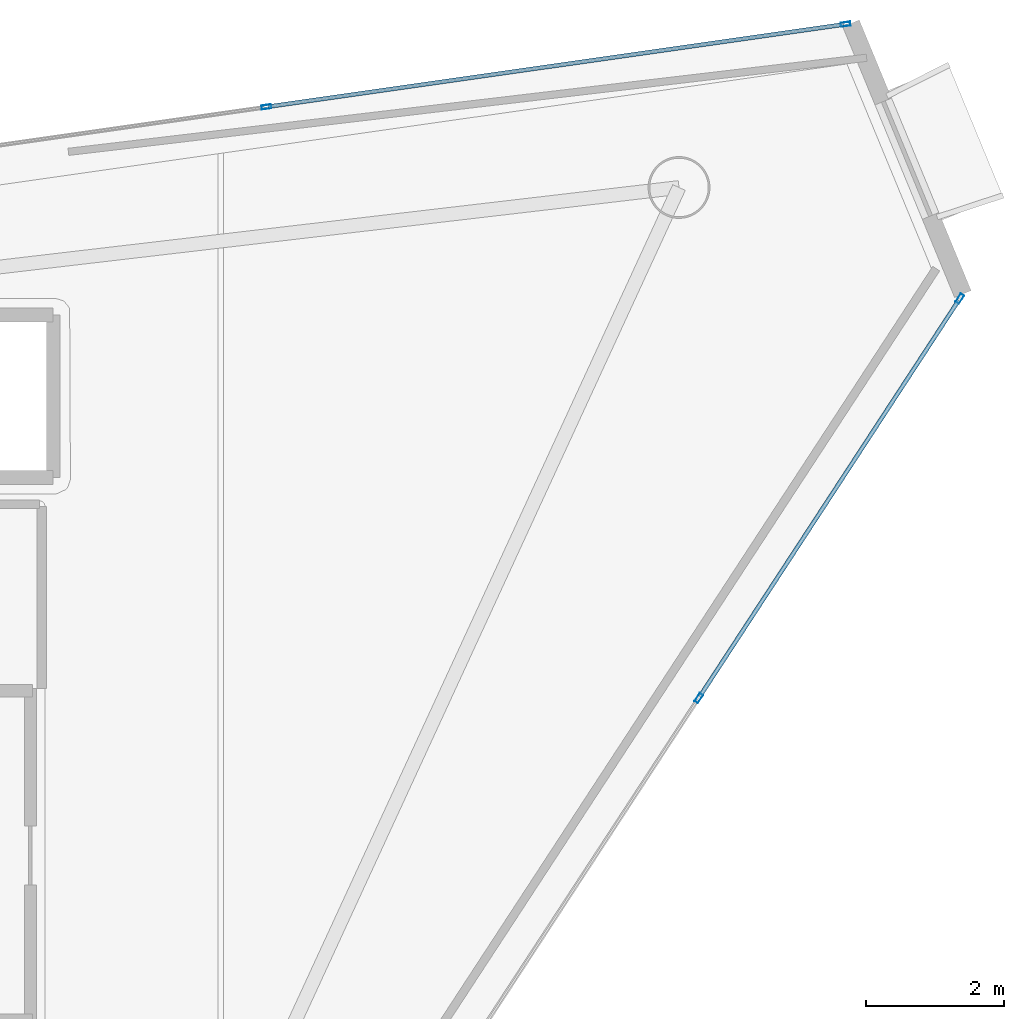
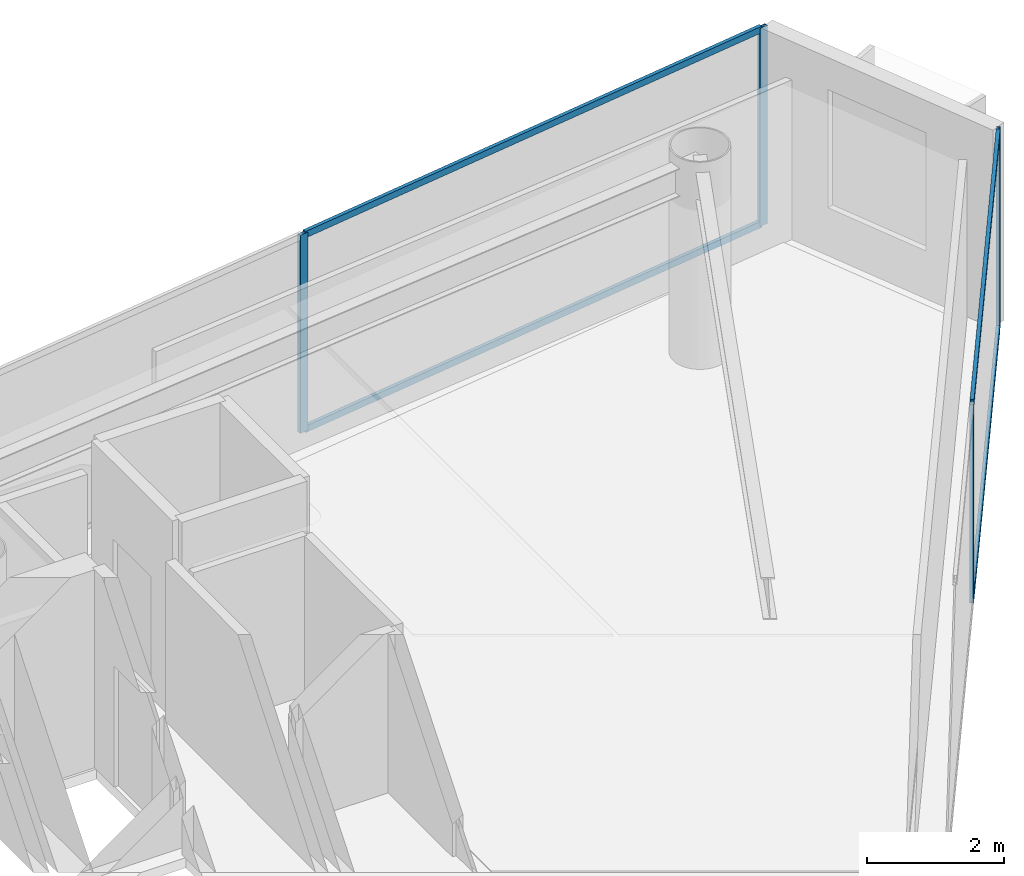
# One storey, part 18 of 25: 8 members, 2 elements without a shape of their own.
"""IFC4 building model written with IfcOpenShell, lengths in metres."""

from ifc_helpers import new_model, si_unit, direction, frame, origin, origin_2d, place, context, subcontext, project, spatial, hollow_rectangle, extrude, material, layer, layer_set, material_profile, profile_set, type_object, element, aggregate, save


model = new_model("IFC4")

# Units and contexts
model_context = context("Model", 3, precision=1e-05, world=origin(), true_north=direction((0.0, 1.0)))
body_context = subcontext(model_context, "Body", "Model", "MODEL_VIEW")
ifc_project = project(units=[si_unit("LENGTHUNIT", "METRE"), si_unit("AREAUNIT", "SQUARE_METRE"), si_unit("VOLUMEUNIT", "CUBIC_METRE"), si_unit("PLANEANGLEUNIT", "RADIAN"), si_unit("MASSUNIT", "GRAM", prefix="KILO")], contexts=[model_context])

# Site, building, storey
site_placement = place(None, origin())
site = spatial("IfcSite", under=ifc_project, at=site_placement, CompositionType="ELEMENT")
building_placement = place(site_placement, origin())
building = spatial("IfcBuilding", under=site, at=building_placement, Name="Qianvela Tower", CompositionType="ELEMENT")
storey_placement = place(building_placement, frame((0.0, 0.0, 291.699951171875)))
storey = spatial("IfcBuildingStorey", under=building, at=storey_placement, Name="L75", CompositionType="ELEMENT", Elevation=291.699951171875)

# Curtain wall, members
ifc_material_1 = material(Name="Anodised Architectural Aluminium and Low-E Glass", Category="aluminium")
ifc_layer = layer(ifc_material_1, 0.14990234375)
ifc_layer_set = layer_set([ifc_layer], Name="Anodised Architectural Aluminium and Low-E Glass")
curtain_wall_type = type_object("IfcCurtainWallType", Name="CW-COLIV-Z78", PredefinedType="USERDEFINED", material=ifc_layer_set)
curtain_wall_1_placement = place(storey_placement, origin())
curtain_wall_1 = element("IfcCurtainWall", 1, at=curtain_wall_1_placement, inside=storey, type_object=curtain_wall_type, Name="L75 CW-COLIV-Z78 Curtain Wall 02A", ObjectType="CURTAIN_WALL_SYSTEM", PredefinedType="USERDEFINED")
ifc_material_2 = material(Name="Anodised Architectural Aluminium 6063-T6", Category="aluminium")
ifc_material_profile_1 = material_profile(ifc_material_2, hollow_rectangle(XDim=0.06005859375, YDim=0.139892578125, WallThickness=0.00439453125, at=origin_2d()), Name="ALU-MULL-60x140")
ifc_profile_set_1 = profile_set([ifc_material_profile_1], Name="Anodised Architectural Aluminium 6063-T6")
member_type_1 = type_object("IfcMemberType", Name="CW-COLIV-Z78-MULL", PredefinedType="MULLION", material=ifc_profile_set_1)
member_1_placement = place(storey_placement, frame((55.069091796875, 39.5087890625, 0.0), z_axis=(0.0, 0.0, 1.0), x_axis=(0.141364765579, -0.98995757639, 0.0)))
member_1 = element("IfcMember", 2, at=member_1_placement, type_object=member_type_1, Name="CW-6 mullion 1", PredefinedType="MULLION", context=body_context, shape_type="SweptSolid", body=[
    extrude(hollow_rectangle(XDim=0.06005859375, YDim=0.139892578125, WallThickness=0.00439453125, at=origin_2d()), origin(), (0.0, 0.0, 1.0), 3.52001953125),
])
member_2_placement = place(storey_placement, frame((46.6494140625, 38.306640625, 0.0), z_axis=(0.0, 0.0, 1.0), x_axis=(0.141364765579, -0.98995757639, 0.0)))
member_2 = element("IfcMember", 3, at=member_2_placement, type_object=member_type_1, Name="CW-6 mullion 2", PredefinedType="MULLION", context=body_context, shape_type="SweptSolid", body=[
    extrude(hollow_rectangle(XDim=0.06005859375, YDim=0.139892578125, WallThickness=0.00439453125, at=origin_2d()), origin(), (0.0, 0.0, 1.0), 3.52001953125),
])

curtain_wall_2_placement = place(storey_placement, origin())
curtain_wall_2 = element("IfcCurtainWall", 4, at=curtain_wall_2_placement, inside=storey, type_object=curtain_wall_type, Name="L75 CW-COLIV-Z78 Curtain Wall 06C", ObjectType="CURTAIN_WALL_SYSTEM", PredefinedType="USERDEFINED")
member_3_placement = place(storey_placement, frame((52.93505859375, 29.7119140625, 0.0), z_axis=(0.0, 0.0, 1.0), x_axis=(-0.837077998993, 0.547083561809, 0.0)))
member_3 = element("IfcMember", 5, at=member_3_placement, type_object=member_type_1, Name="CW-6 mullion 4", PredefinedType="MULLION", context=body_context, shape_type="SweptSolid", body=[
    extrude(hollow_rectangle(XDim=0.06005859375, YDim=0.139892578125, WallThickness=0.00439453125, at=origin_2d()), origin(), (0.0, 0.0, 1.0), 3.52001953125),
])
member_4_placement = place(storey_placement, frame((56.73046875, 35.519287109375, 0.0), z_axis=(0.0, 0.0, 1.0), x_axis=(-0.837077998993, 0.547083561809, 0.0)))
member_4 = element("IfcMember", 6, at=member_4_placement, type_object=member_type_1, Name="CW-6 mullion 5", PredefinedType="MULLION", context=body_context, shape_type="SweptSolid", body=[
    extrude(hollow_rectangle(XDim=0.06005859375, YDim=0.139892578125, WallThickness=0.00439453125, at=origin_2d()), origin(), (0.0, 0.0, 1.0), 3.52001953125),
])

# Member
ifc_material_3 = material(Name="Anodised Architectural Aluminium 6063-T6", Category="aluminium")
ifc_material_profile_2 = material_profile(ifc_material_3, hollow_rectangle(XDim=0.06005859375, YDim=0.114990234375, WallThickness=0.00390625, at=origin_2d()), Name="ALU-TRAN-60x115")
ifc_profile_set_2 = profile_set([ifc_material_profile_2], Name="Anodised Architectural Aluminium 6063-T6")
member_type_2 = type_object("IfcMemberType", Name="CW-COLIV-Z78-TRAN", PredefinedType="USERDEFINED", material=ifc_profile_set_2)
member_5_placement = place(storey_placement, frame((55.039306640625, 39.504638671875, 0.030029296875), z_axis=(-0.989957008801, -0.141368740269, 0.0), x_axis=(0.141368740269, -0.989957008801, 0.0)))
member_5 = element("IfcMember", 7, at=member_5_placement, type_object=member_type_2, Name="CW-6 transom 1.1", ObjectType="TRANSOM", PredefinedType="USERDEFINED", context=body_context, shape_type="SweptSolid", body=[
    extrude(hollow_rectangle(XDim=0.06005859375, YDim=0.114990234375, WallThickness=0.00390625, at=origin_2d()), origin(), (0.0, 0.0, 1.0), 8.44482421875),
])

member_6_placement = place(storey_placement, frame((55.039306640625, 39.504638671875, 3.489990234375), z_axis=(-0.989957008801, -0.141368740269, 0.0), x_axis=(0.141368740269, -0.989957008801, 0.0)))
member_6 = element("IfcMember", 8, at=member_6_placement, type_object=member_type_2, Name="CW-6 transom 1.2", ObjectType="TRANSOM", PredefinedType="USERDEFINED", context=body_context, shape_type="SweptSolid", body=[
    extrude(hollow_rectangle(XDim=0.06005859375, YDim=0.114990234375, WallThickness=0.00390625, at=origin_2d()), origin(), (0.0, 0.0, 1.0), 8.44482421875),
])

aggregate(curtain_wall_1, [member_1, member_2, member_5, member_6])

member_7_placement = place(storey_placement, frame((52.951416015625, 29.737060546875, 0.030029296875), z_axis=(0.547075288527, 0.83708340605, 0.0), x_axis=(-0.83708340605, 0.547075288527, 0.0)))
member_7 = element("IfcMember", 9, at=member_7_placement, type_object=member_type_2, Name="CW-6 transom 4.1", ObjectType="TRANSOM", PredefinedType="USERDEFINED", context=body_context, shape_type="SweptSolid", body=[
    extrude(hollow_rectangle(XDim=0.06005859375, YDim=0.114990234375, WallThickness=0.00390625, at=origin_2d()), origin(), (0.0, 0.0, 1.0), 6.8779296875),
])

member_8_placement = place(storey_placement, frame((52.951416015625, 29.737060546875, 3.489990234375), z_axis=(0.547075288527, 0.83708340605, 0.0), x_axis=(-0.83708340605, 0.547075288527, 0.0)))
member_8 = element("IfcMember", 10, at=member_8_placement, type_object=member_type_2, Name="CW-6 transom 4.2", ObjectType="TRANSOM", PredefinedType="USERDEFINED", context=body_context, shape_type="SweptSolid", body=[
    extrude(hollow_rectangle(XDim=0.06005859375, YDim=0.114990234375, WallThickness=0.00390625, at=origin_2d()), origin(), (0.0, 0.0, 1.0), 6.8779296875),
])

aggregate(curtain_wall_2, [member_3, member_4, member_7, member_8])

save(model, "model.ifc")
